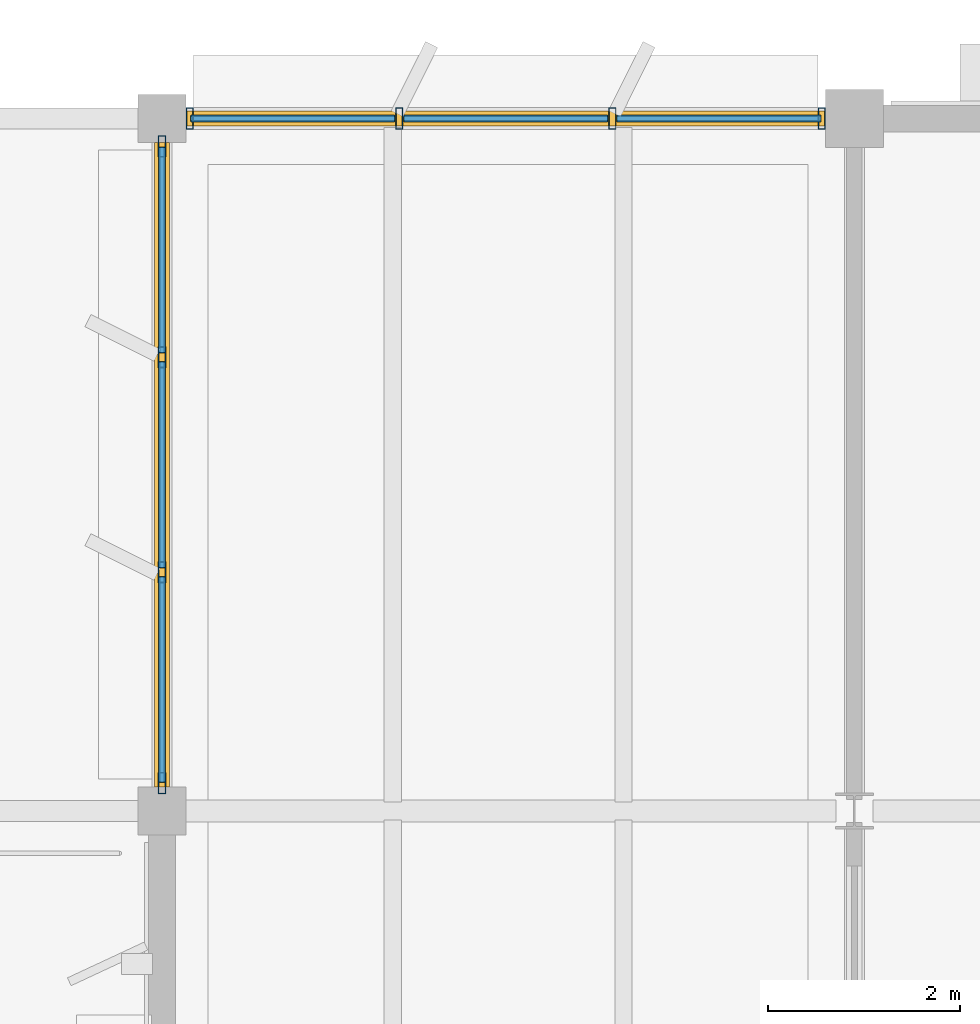
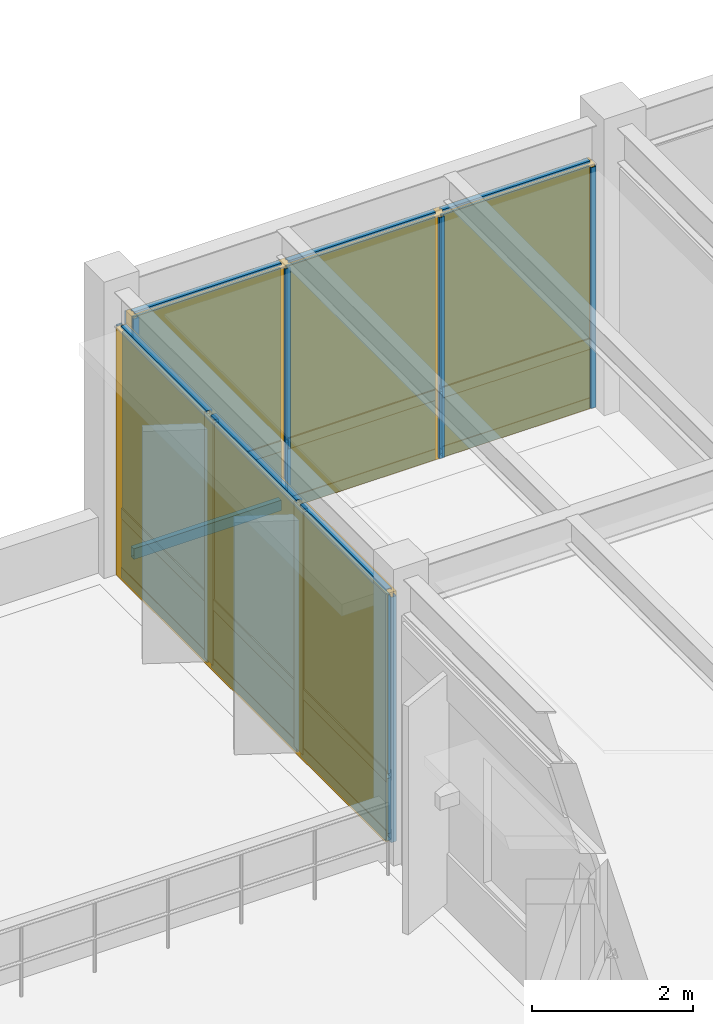
# One storey, part 58 of 92: 26 members, 12 plates, 2 curtain walls.
"""IFC4 building model written with IfcOpenShell, lengths in metres."""

from ifc_helpers import new_model, si_unit, direction, frame, origin, origin_2d, place, context, subcontext, project, spatial, rectangle, hollow_rectangle, extrude, material, layer, layer_set, material_profile, profile_set, type_object, element, aggregate, save


model = new_model("IFC4")

# Units and contexts
model_context = context("Model", 3, precision=1e-05, world=origin(), true_north=direction((0.0, 1.0)))
body_context = subcontext(model_context, "Body", "Model", "MODEL_VIEW")
ifc_project = project(units=[si_unit("LENGTHUNIT", "METRE"), si_unit("AREAUNIT", "SQUARE_METRE"), si_unit("VOLUMEUNIT", "CUBIC_METRE"), si_unit("PLANEANGLEUNIT", "RADIAN"), si_unit("MASSUNIT", "GRAM", prefix="KILO")], contexts=[model_context])

# Member
ifc_material_1 = material(Name="Anodized Aluminium 6063-T6", Category="aluminium")
ifc_material_profile_1 = material_profile(ifc_material_1, hollow_rectangle(XDim=0.074951171875, YDim=0.219970703125, WallThickness=0.0048828125, at=origin_2d()), Name="ALU 75x220x5")
ifc_profile_set_1 = profile_set([ifc_material_profile_1], Name="Anodized Aluminium 6063-T6")
member_type_1 = type_object("IfcMemberType", Name="CWM-75X180", PredefinedType="MULLION", material=ifc_profile_set_1)
site_placement = place(None, origin())
building_placement = place(site_placement, origin())
storey_placement = place(building_placement, frame((0.0, 0.0, 5.39990234375)))
member_1_placement = place(storey_placement, frame((36.2900390625, 115.199951171875, 0.02001953125), z_axis=(0.0, 0.0, 1.0), x_axis=(1.0, 0.0, 0.0)))
member_1 = element("IfcMember", 1, at=member_1_placement, type_object=member_type_1, Name="Curtain wall mullion CW-L02-05-15-N-00", PredefinedType="MULLION", context=body_context, shape_type="SweptSolid", body=[
    extrude(hollow_rectangle(XDim=0.074951171875, YDim=0.219970703125, WallThickness=0.0048828125, at=origin_2d()), origin(), (0.0, 0.0, 1.0), 3.657958984375),
])

member_2_placement = place(storey_placement, frame((38.466796875, 115.199951171875, 0.02001953125), z_axis=(0.0, 0.0, 1.0), x_axis=(1.0, 0.0, 0.0)))
member_2 = element("IfcMember", 2, at=member_2_placement, type_object=member_type_1, Name="Curtain wall mullion CW-L02-05-15-N-01", PredefinedType="MULLION", context=body_context, shape_type="SweptSolid", body=[
    extrude(hollow_rectangle(XDim=0.074951171875, YDim=0.219970703125, WallThickness=0.0048828125, at=origin_2d()), origin(), (0.0, 0.0, 1.0), 3.657958984375),
])

member_3_placement = place(storey_placement, frame((40.683349609375, 115.199951171875, 0.02001953125), z_axis=(0.0, 0.0, 1.0), x_axis=(1.0, 0.0, 0.0)))
member_3 = element("IfcMember", 3, at=member_3_placement, type_object=member_type_1, Name="Curtain wall mullion CW-L02-05-15-N-02", PredefinedType="MULLION", context=body_context, shape_type="SweptSolid", body=[
    extrude(hollow_rectangle(XDim=0.074951171875, YDim=0.219970703125, WallThickness=0.0048828125, at=origin_2d()), origin(), (0.0, 0.0, 1.0), 3.657958984375),
])

member_4_placement = place(storey_placement, frame((42.860107421875, 115.199951171875, 0.02001953125), z_axis=(0.0, 0.0, 1.0), x_axis=(1.0, 0.0, 0.0)))
member_4 = element("IfcMember", 4, at=member_4_placement, type_object=member_type_1, Name="Curtain wall mullion CW-L02-05-15-N-03", PredefinedType="MULLION", context=body_context, shape_type="SweptSolid", body=[
    extrude(hollow_rectangle(XDim=0.074951171875, YDim=0.219970703125, WallThickness=0.0048828125, at=origin_2d()), origin(), (0.0, 0.0, 1.0), 3.657958984375),
])

member_5_placement = place(storey_placement, frame((36.0, 108.2900390625, 0.02001953125), z_axis=(0.0, 0.0, 1.0), x_axis=(1.0, 0.0, 0.0)))
member_5 = element("IfcMember", 5, at=member_5_placement, type_object=member_type_1, Name="Curtain wall mullion CW-L02-05-15-W-00", PredefinedType="MULLION", context=body_context, shape_type="SweptSolid", body=[
    extrude(hollow_rectangle(XDim=0.074951171875, YDim=0.219970703125, WallThickness=0.0048828125, at=origin_2d()), origin(), (0.0, 0.0, 1.0), 3.72705078125),
])

member_6_placement = place(storey_placement, frame((36.0, 110.4833984375, 0.02001953125), z_axis=(0.0, 0.0, 1.0), x_axis=(1.0, 0.0, 0.0)))
member_6 = element("IfcMember", 6, at=member_6_placement, type_object=member_type_1, Name="Curtain wall mullion CW-L02-05-15-W-01", PredefinedType="MULLION", context=body_context, shape_type="SweptSolid", body=[
    extrude(hollow_rectangle(XDim=0.074951171875, YDim=0.219970703125, WallThickness=0.0048828125, at=origin_2d()), origin(), (0.0, 0.0, 1.0), 3.72705078125),
])

member_7_placement = place(storey_placement, frame((36.0, 112.716796875, 0.02001953125), z_axis=(0.0, 0.0, 1.0), x_axis=(1.0, 0.0, 0.0)))
member_7 = element("IfcMember", 7, at=member_7_placement, type_object=member_type_1, Name="Curtain wall mullion CW-L02-05-15-W-02", PredefinedType="MULLION", context=body_context, shape_type="SweptSolid", body=[
    extrude(hollow_rectangle(XDim=0.074951171875, YDim=0.219970703125, WallThickness=0.0048828125, at=origin_2d()), origin(), (0.0, 0.0, 1.0), 3.72705078125),
])

member_8_placement = place(storey_placement, frame((36.0, 114.909912109375, 0.02001953125), z_axis=(0.0, 0.0, 1.0), x_axis=(1.0, 0.0, 0.0)))
member_8 = element("IfcMember", 8, at=member_8_placement, type_object=member_type_1, Name="Curtain wall mullion CW-L02-05-15-W-03", PredefinedType="MULLION", context=body_context, shape_type="SweptSolid", body=[
    extrude(hollow_rectangle(XDim=0.074951171875, YDim=0.219970703125, WallThickness=0.0048828125, at=origin_2d()), origin(), (0.0, 0.0, 1.0), 3.72705078125),
])

ifc_material_profile_2 = material_profile(ifc_material_1, hollow_rectangle(XDim=0.074951171875, YDim=0.159912109375, WallThickness=0.00390625, at=origin_2d()), Name="ALU 75x160x4")
ifc_profile_set_2 = profile_set([ifc_material_profile_2], Name="Anodized Aluminium 6063-T6")
member_type_2 = type_object("IfcMemberType", Name="CWT-75X150", PredefinedType="USERDEFINED", material=ifc_profile_set_2)
member_9_placement = place(storey_placement, frame((36.300048828125, 115.199951171875, 0.050048828125), z_axis=(1.0, 0.0, 0.0), x_axis=(0.0, 1.0, 0.0)))
member_9 = element("IfcMember", 9, at=member_9_placement, type_object=member_type_2, Name="Curtain wall transom CW-L02-05-15-N-1.01", ObjectType="TRANSOM", PredefinedType="USERDEFINED", context=body_context, shape_type="SweptSolid", body=[
    extrude(hollow_rectangle(XDim=0.074951171875, YDim=0.159912109375, WallThickness=0.00390625, at=origin_2d()), origin(), (0.0, 0.0, 1.0), 2.11669921875),
])

member_10_placement = place(storey_placement, frame((38.5166015625, 115.199951171875, 0.050048828125), z_axis=(1.0, 0.0, 0.0), x_axis=(0.0, 1.0, 0.0)))
member_10 = element("IfcMember", 10, at=member_10_placement, type_object=member_type_2, Name="Curtain wall transom CW-L02-05-15-N-1.02", ObjectType="TRANSOM", PredefinedType="USERDEFINED", context=body_context, shape_type="SweptSolid", body=[
    extrude(hollow_rectangle(XDim=0.074951171875, YDim=0.159912109375, WallThickness=0.00390625, at=origin_2d()), origin(), (0.0, 0.0, 1.0), 2.11669921875),
])

member_11_placement = place(storey_placement, frame((40.7333984375, 115.199951171875, 0.050048828125), z_axis=(1.0, 0.0, 0.0), x_axis=(0.0, 1.0, 0.0)))
member_11 = element("IfcMember", 11, at=member_11_placement, type_object=member_type_2, Name="Curtain wall transom CW-L02-05-15-N-1.03", ObjectType="TRANSOM", PredefinedType="USERDEFINED", context=body_context, shape_type="SweptSolid", body=[
    extrude(hollow_rectangle(XDim=0.074951171875, YDim=0.159912109375, WallThickness=0.00390625, at=origin_2d()), origin(), (0.0, 0.0, 1.0), 2.11669921875),
])

member_12_placement = place(storey_placement, frame((36.300048828125, 115.199951171875, 0.9501953125), z_axis=(1.0, 0.0, 0.0), x_axis=(0.0, 1.0, 0.0)))
member_12 = element("IfcMember", 12, at=member_12_placement, type_object=member_type_2, Name="Curtain wall transom CW-L02-05-15-N-2.01", ObjectType="TRANSOM", PredefinedType="USERDEFINED", context=body_context, shape_type="SweptSolid", body=[
    extrude(hollow_rectangle(XDim=0.074951171875, YDim=0.159912109375, WallThickness=0.00390625, at=origin_2d()), origin(), (0.0, 0.0, 1.0), 2.11669921875),
])

member_13_placement = place(storey_placement, frame((38.5166015625, 115.199951171875, 0.9501953125), z_axis=(1.0, 0.0, 0.0), x_axis=(0.0, 1.0, 0.0)))
member_13 = element("IfcMember", 13, at=member_13_placement, type_object=member_type_2, Name="Curtain wall transom CW-L02-05-15-N-2.02", ObjectType="TRANSOM", PredefinedType="USERDEFINED", context=body_context, shape_type="SweptSolid", body=[
    extrude(hollow_rectangle(XDim=0.074951171875, YDim=0.159912109375, WallThickness=0.00390625, at=origin_2d()), origin(), (0.0, 0.0, 1.0), 2.11669921875),
])

member_14_placement = place(storey_placement, frame((40.7333984375, 115.199951171875, 0.9501953125), z_axis=(1.0, 0.0, 0.0), x_axis=(0.0, 1.0, 0.0)))
member_14 = element("IfcMember", 14, at=member_14_placement, type_object=member_type_2, Name="Curtain wall transom CW-L02-05-15-N-2.03", ObjectType="TRANSOM", PredefinedType="USERDEFINED", context=body_context, shape_type="SweptSolid", body=[
    extrude(hollow_rectangle(XDim=0.074951171875, YDim=0.159912109375, WallThickness=0.00390625, at=origin_2d()), origin(), (0.0, 0.0, 1.0), 2.11669921875),
])

member_15_placement = place(storey_placement, frame((36.300048828125, 115.199951171875, 3.648193359375), z_axis=(1.0, 0.0, 0.0), x_axis=(0.0, 1.0, 0.0)))
member_15 = element("IfcMember", 15, at=member_15_placement, type_object=member_type_2, Name="Curtain wall transom CW-L02-05-15-N-3.01", ObjectType="TRANSOM", PredefinedType="USERDEFINED", context=body_context, shape_type="SweptSolid", body=[
    extrude(hollow_rectangle(XDim=0.074951171875, YDim=0.159912109375, WallThickness=0.00390625, at=origin_2d()), origin(), (0.0, 0.0, 1.0), 2.11669921875),
])

member_16_placement = place(storey_placement, frame((38.5166015625, 115.199951171875, 3.648193359375), z_axis=(1.0, 0.0, 0.0), x_axis=(0.0, 1.0, 0.0)))
member_16 = element("IfcMember", 16, at=member_16_placement, type_object=member_type_2, Name="Curtain wall transom CW-L02-05-15-N-3.02", ObjectType="TRANSOM", PredefinedType="USERDEFINED", context=body_context, shape_type="SweptSolid", body=[
    extrude(hollow_rectangle(XDim=0.074951171875, YDim=0.159912109375, WallThickness=0.00390625, at=origin_2d()), origin(), (0.0, 0.0, 1.0), 2.11669921875),
])

member_17_placement = place(storey_placement, frame((40.7333984375, 115.199951171875, 3.648193359375), z_axis=(1.0, 0.0, 0.0), x_axis=(0.0, 1.0, 0.0)))
member_17 = element("IfcMember", 17, at=member_17_placement, type_object=member_type_2, Name="Curtain wall transom CW-L02-05-15-N-3.03", ObjectType="TRANSOM", PredefinedType="USERDEFINED", context=body_context, shape_type="SweptSolid", body=[
    extrude(hollow_rectangle(XDim=0.074951171875, YDim=0.159912109375, WallThickness=0.00390625, at=origin_2d()), origin(), (0.0, 0.0, 1.0), 2.11669921875),
])

member_18_placement = place(storey_placement, frame((36.0, 108.300048828125, 0.050048828125), z_axis=(0.0, 1.0, 0.0), x_axis=(-1.0, 0.0, 0.0)))
member_18 = element("IfcMember", 18, at=member_18_placement, type_object=member_type_2, Name="Curtain wall transom CW-L02-05-15-W-1.01", ObjectType="TRANSOM", PredefinedType="USERDEFINED", context=body_context, shape_type="SweptSolid", body=[
    extrude(hollow_rectangle(XDim=0.074951171875, YDim=0.159912109375, WallThickness=0.00390625, at=origin_2d()), origin(), (0.0, 0.0, 1.0), 2.13330078125),
])

member_19_placement = place(storey_placement, frame((36.0, 110.533203125, 0.050048828125), z_axis=(0.0, 1.0, 0.0), x_axis=(-1.0, 0.0, 0.0)))
member_19 = element("IfcMember", 19, at=member_19_placement, type_object=member_type_2, Name="Curtain wall transom CW-L02-05-15-W-1.02", ObjectType="TRANSOM", PredefinedType="USERDEFINED", context=body_context, shape_type="SweptSolid", body=[
    extrude(hollow_rectangle(XDim=0.074951171875, YDim=0.159912109375, WallThickness=0.00390625, at=origin_2d()), origin(), (0.0, 0.0, 1.0), 2.133544921875),
])

member_20_placement = place(storey_placement, frame((36.0, 112.7666015625, 0.050048828125), z_axis=(0.0, 1.0, 0.0), x_axis=(-1.0, 0.0, 0.0)))
member_20 = element("IfcMember", 20, at=member_20_placement, type_object=member_type_2, Name="Curtain wall transom CW-L02-05-15-W-1.03", ObjectType="TRANSOM", PredefinedType="USERDEFINED", context=body_context, shape_type="SweptSolid", body=[
    extrude(hollow_rectangle(XDim=0.074951171875, YDim=0.159912109375, WallThickness=0.00390625, at=origin_2d()), origin(), (0.0, 0.0, 1.0), 2.13330078125),
])

member_21_placement = place(storey_placement, frame((36.0, 108.300048828125, 0.9501953125), z_axis=(0.0, 1.0, 0.0), x_axis=(-1.0, 0.0, 0.0)))
member_21 = element("IfcMember", 21, at=member_21_placement, type_object=member_type_2, Name="Curtain wall transom CW-L02-05-15-W-2.01", ObjectType="TRANSOM", PredefinedType="USERDEFINED", context=body_context, shape_type="SweptSolid", body=[
    extrude(hollow_rectangle(XDim=0.074951171875, YDim=0.159912109375, WallThickness=0.00390625, at=origin_2d()), origin(), (0.0, 0.0, 1.0), 2.13330078125),
])

member_22_placement = place(storey_placement, frame((36.0, 110.533203125, 0.9501953125), z_axis=(0.0, 1.0, 0.0), x_axis=(-1.0, 0.0, 0.0)))
member_22 = element("IfcMember", 22, at=member_22_placement, type_object=member_type_2, Name="Curtain wall transom CW-L02-05-15-W-2.02", ObjectType="TRANSOM", PredefinedType="USERDEFINED", context=body_context, shape_type="SweptSolid", body=[
    extrude(hollow_rectangle(XDim=0.074951171875, YDim=0.159912109375, WallThickness=0.00390625, at=origin_2d()), origin(), (0.0, 0.0, 1.0), 2.133544921875),
])

member_23_placement = place(storey_placement, frame((36.0, 112.7666015625, 0.9501953125), z_axis=(0.0, 1.0, 0.0), x_axis=(-1.0, 0.0, 0.0)))
member_23 = element("IfcMember", 23, at=member_23_placement, type_object=member_type_2, Name="Curtain wall transom CW-L02-05-15-W-2.03", ObjectType="TRANSOM", PredefinedType="USERDEFINED", context=body_context, shape_type="SweptSolid", body=[
    extrude(hollow_rectangle(XDim=0.074951171875, YDim=0.159912109375, WallThickness=0.00390625, at=origin_2d()), origin(), (0.0, 0.0, 1.0), 2.13330078125),
])

member_24_placement = place(storey_placement, frame((36.0, 108.300048828125, 3.717041015625), z_axis=(0.0, 1.0, 0.0), x_axis=(-1.0, 0.0, 0.0)))
member_24 = element("IfcMember", 24, at=member_24_placement, type_object=member_type_2, Name="Curtain wall transom CW-L02-05-15-W-3.01", ObjectType="TRANSOM", PredefinedType="USERDEFINED", context=body_context, shape_type="SweptSolid", body=[
    extrude(hollow_rectangle(XDim=0.074951171875, YDim=0.159912109375, WallThickness=0.00390625, at=origin_2d()), origin(), (0.0, 0.0, 1.0), 2.13330078125),
])

member_25_placement = place(storey_placement, frame((36.0, 110.533203125, 3.717041015625), z_axis=(0.0, 1.0, 0.0), x_axis=(-1.0, 0.0, 0.0)))
member_25 = element("IfcMember", 25, at=member_25_placement, type_object=member_type_2, Name="Curtain wall transom CW-L02-05-15-W-3.02", ObjectType="TRANSOM", PredefinedType="USERDEFINED", context=body_context, shape_type="SweptSolid", body=[
    extrude(hollow_rectangle(XDim=0.074951171875, YDim=0.159912109375, WallThickness=0.00390625, at=origin_2d()), origin(), (0.0, 0.0, 1.0), 2.133544921875),
])

member_26_placement = place(storey_placement, frame((36.0, 112.7666015625, 3.717041015625), z_axis=(0.0, 1.0, 0.0), x_axis=(-1.0, 0.0, 0.0)))
member_26 = element("IfcMember", 26, at=member_26_placement, type_object=member_type_2, Name="Curtain wall transom CW-L02-05-15-W-3.03", ObjectType="TRANSOM", PredefinedType="USERDEFINED", context=body_context, shape_type="SweptSolid", body=[
    extrude(hollow_rectangle(XDim=0.074951171875, YDim=0.159912109375, WallThickness=0.00390625, at=origin_2d()), origin(), (0.0, 0.0, 1.0), 2.13330078125),
])

# Plate
ifc_material_2 = material(Name="Acoustic Laminated Low-E Glazing", Category="glass")
ifc_layer_1 = layer(ifc_material_2, 0.0439453125)
ifc_layer_set_1 = layer_set([ifc_layer_1], Name="Acoustic Laminated Low-E Glazing")
plate_type_1 = type_object("IfcPlateType", Name="CWP-IGU-44", PredefinedType="CURTAIN_PANEL", material=ifc_layer_set_1)
plate_1_placement = place(storey_placement, frame((37.3583984375, 115.199951171875, 0.990234375), z_axis=(0.0, 0.0, 1.0), x_axis=(1.0, 0.0, 0.0)))
plate_1 = element("IfcPlate", 27, at=plate_1_placement, type_object=plate_type_1, Name="Curtain wall vision glazing CW-L02-05-15-N-01", PredefinedType="CURTAIN_PANEL", context=body_context, shape_type="SweptSolid", body=[
    extrude(rectangle(XDim=2.126708984375, YDim=0.0400390625, at=origin_2d()), origin(), (0.0, 0.0, 1.0), 2.64794921875),
])

plate_2_placement = place(storey_placement, frame((39.574951171875, 115.199951171875, 0.990234375), z_axis=(0.0, 0.0, 1.0), x_axis=(1.0, 0.0, 0.0)))
plate_2 = element("IfcPlate", 28, at=plate_2_placement, type_object=plate_type_1, Name="Curtain wall vision glazing CW-L02-05-15-N-02", PredefinedType="CURTAIN_PANEL", context=body_context, shape_type="SweptSolid", body=[
    extrude(rectangle(XDim=2.126708984375, YDim=0.0400390625, at=origin_2d()), origin(), (0.0, 0.0, 1.0), 2.64794921875),
])

plate_3_placement = place(storey_placement, frame((41.791748046875, 115.199951171875, 0.990234375), z_axis=(0.0, 0.0, 1.0), x_axis=(1.0, 0.0, 0.0)))
plate_3 = element("IfcPlate", 29, at=plate_3_placement, type_object=plate_type_1, Name="Curtain wall vision glazing CW-L02-05-15-N-03", PredefinedType="CURTAIN_PANEL", context=body_context, shape_type="SweptSolid", body=[
    extrude(rectangle(XDim=2.126708984375, YDim=0.0400390625, at=origin_2d()), origin(), (0.0, 0.0, 1.0), 2.64794921875),
])

plate_4_placement = place(storey_placement, frame((36.0, 109.36669921875, 0.990234375), z_axis=(0.0, 0.0, 1.0), x_axis=(0.0, 1.0, 0.0)))
plate_4 = element("IfcPlate", 30, at=plate_4_placement, type_object=plate_type_1, Name="Curtain wall vision glazing CW-L02-05-15-W-01", PredefinedType="CURTAIN_PANEL", context=body_context, shape_type="SweptSolid", body=[
    extrude(rectangle(XDim=2.143310546875, YDim=0.0400390625, at=origin_2d()), origin(), (0.0, 0.0, 1.0), 2.717041015625),
])

plate_5_placement = place(storey_placement, frame((36.0, 111.60009765625, 0.990234375), z_axis=(0.0, 0.0, 1.0), x_axis=(0.0, 1.0, 0.0)))
plate_5 = element("IfcPlate", 31, at=plate_5_placement, type_object=plate_type_1, Name="Curtain wall vision glazing CW-L02-05-15-W-02", PredefinedType="CURTAIN_PANEL", context=body_context, shape_type="SweptSolid", body=[
    extrude(rectangle(XDim=2.143310546875, YDim=0.0400390625, at=origin_2d()), origin(), (0.0, 0.0, 1.0), 2.717041015625),
])

plate_6_placement = place(storey_placement, frame((36.0, 113.833251953125, 0.990234375), z_axis=(0.0, 0.0, 1.0), x_axis=(0.0, 1.0, 0.0)))
plate_6 = element("IfcPlate", 32, at=plate_6_placement, type_object=plate_type_1, Name="Curtain wall vision glazing CW-L02-05-15-W-03", PredefinedType="CURTAIN_PANEL", context=body_context, shape_type="SweptSolid", body=[
    extrude(rectangle(XDim=2.143310546875, YDim=0.0400390625, at=origin_2d()), origin(), (0.0, 0.0, 1.0), 2.717041015625),
])

ifc_material_3 = material(Name="Insulated Stone-Composite Spandrel", Category="masonry")
ifc_layer_2 = layer(ifc_material_3, 0.068115234375)
ifc_layer_set_2 = layer_set([ifc_layer_2], Name="Insulated Stone-Composite Spandrel")
plate_type_2 = type_object("IfcPlateType", Name="CWP-SPN-68", PredefinedType="CURTAIN_PANEL", material=ifc_layer_set_2)
plate_7_placement = place(storey_placement, frame((37.3583984375, 115.199951171875, 0.080078125), z_axis=(0.0, 0.0, 1.0), x_axis=(1.0, 0.0, 0.0)))
plate_7 = element("IfcPlate", 33, at=plate_7_placement, type_object=plate_type_2, Name="Curtain wall spandrel panel CW-L02-05-15-N-01", PredefinedType="CURTAIN_PANEL", context=body_context, shape_type="SweptSolid", body=[
    extrude(rectangle(XDim=2.126708984375, YDim=0.06005859375, at=origin_2d()), origin(), (0.0, 0.0, 1.0), 0.840087890625),
])

plate_8_placement = place(storey_placement, frame((39.574951171875, 115.199951171875, 0.080078125), z_axis=(0.0, 0.0, 1.0), x_axis=(1.0, 0.0, 0.0)))
plate_8 = element("IfcPlate", 34, at=plate_8_placement, type_object=plate_type_2, Name="Curtain wall spandrel panel CW-L02-05-15-N-02", PredefinedType="CURTAIN_PANEL", context=body_context, shape_type="SweptSolid", body=[
    extrude(rectangle(XDim=2.126708984375, YDim=0.06005859375, at=origin_2d()), origin(), (0.0, 0.0, 1.0), 0.840087890625),
])

plate_9_placement = place(storey_placement, frame((41.791748046875, 115.199951171875, 0.080078125), z_axis=(0.0, 0.0, 1.0), x_axis=(1.0, 0.0, 0.0)))
plate_9 = element("IfcPlate", 35, at=plate_9_placement, type_object=plate_type_2, Name="Curtain wall spandrel panel CW-L02-05-15-N-03", PredefinedType="CURTAIN_PANEL", context=body_context, shape_type="SweptSolid", body=[
    extrude(rectangle(XDim=2.126708984375, YDim=0.06005859375, at=origin_2d()), origin(), (0.0, 0.0, 1.0), 0.840087890625),
])

plate_10_placement = place(storey_placement, frame((36.0, 109.36669921875, 0.080078125), z_axis=(0.0, 0.0, 1.0), x_axis=(0.0, 1.0, 0.0)))
plate_10 = element("IfcPlate", 36, at=plate_10_placement, type_object=plate_type_2, Name="Curtain wall spandrel panel CW-L02-05-15-W-01", PredefinedType="CURTAIN_PANEL", context=body_context, shape_type="SweptSolid", body=[
    extrude(rectangle(XDim=2.143310546875, YDim=0.06005859375, at=origin_2d()), origin(), (0.0, 0.0, 1.0), 0.840087890625),
])

plate_11_placement = place(storey_placement, frame((36.0, 111.60009765625, 0.080078125), z_axis=(0.0, 0.0, 1.0), x_axis=(0.0, 1.0, 0.0)))
plate_11 = element("IfcPlate", 37, at=plate_11_placement, type_object=plate_type_2, Name="Curtain wall spandrel panel CW-L02-05-15-W-02", PredefinedType="CURTAIN_PANEL", context=body_context, shape_type="SweptSolid", body=[
    extrude(rectangle(XDim=2.143310546875, YDim=0.06005859375, at=origin_2d()), origin(), (0.0, 0.0, 1.0), 0.840087890625),
])

plate_12_placement = place(storey_placement, frame((36.0, 113.833251953125, 0.080078125), z_axis=(0.0, 0.0, 1.0), x_axis=(0.0, 1.0, 0.0)))
plate_12 = element("IfcPlate", 38, at=plate_12_placement, type_object=plate_type_2, Name="Curtain wall spandrel panel CW-L02-05-15-W-03", PredefinedType="CURTAIN_PANEL", context=body_context, shape_type="SweptSolid", body=[
    extrude(rectangle(XDim=2.143310546875, YDim=0.06005859375, at=origin_2d()), origin(), (0.0, 0.0, 1.0), 0.840087890625),
])

# Site, building, storey
site = spatial("IfcSite", under=ifc_project, at=site_placement, CompositionType="ELEMENT")
building = spatial("IfcBuilding", under=site, at=building_placement, Name="Sillqori Civic Hall", CompositionType="ELEMENT")
storey = spatial("IfcBuildingStorey", under=building, at=storey_placement, Name="L02", CompositionType="ELEMENT", Elevation=5.39990234375)

# Curtain wall
ifc_material_4 = material(Name="Anodized Aluminium Curtain Wall System", Category="aluminium")
curtain_wall_type = type_object("IfcCurtainWallType", Name="CW-GL-430", PredefinedType="NOTDEFINED", material=ifc_material_4)
curtain_wall_1_placement = place(storey_placement, frame((39.574951171875, 115.199951171875, 0.0), z_axis=(0.0, 0.0, 1.0), x_axis=(1.0, 0.0, 0.0)))
curtain_wall_1 = element("IfcCurtainWall", 39, at=curtain_wall_1_placement, inside=storey, type_object=curtain_wall_type, Name="L02 unitised curtain wall CW-L02-05-15-N", PredefinedType="NOTDEFINED", context=body_context, shape_type="SweptSolid", body=[
    extrude(rectangle(XDim=6.64990234375, YDim=0.159912109375, at=origin_2d()), origin(), (0.0, 0.0, 1.0), 3.697998046875),
])

aggregate(curtain_wall_1, [member_1, member_2, member_3, member_4, member_9, member_10, member_11, member_12, member_13, member_14, member_15, member_16, member_17, plate_7, plate_1, plate_8, plate_2, plate_9, plate_3])

curtain_wall_2_placement = place(storey_placement, frame((36.0, 111.60009765625, 0.0), z_axis=(0.0, 0.0, 1.0), x_axis=(0.0, 1.0, 0.0)))
curtain_wall_2 = element("IfcCurtainWall", 40, at=curtain_wall_2_placement, inside=storey, type_object=curtain_wall_type, Name="L02 unitised curtain wall CW-L02-05-15-W", PredefinedType="NOTDEFINED", context=body_context, shape_type="SweptSolid", body=[
    extrude(rectangle(XDim=6.699951171875, YDim=0.159912109375, at=origin_2d()), origin(), (0.0, 0.0, 1.0), 3.76708984375),
])

aggregate(curtain_wall_2, [member_5, member_6, member_7, member_8, member_18, member_19, member_20, member_21, member_22, member_23, member_24, member_25, member_26, plate_10, plate_4, plate_11, plate_5, plate_12, plate_6])

save(model, "model.ifc")
